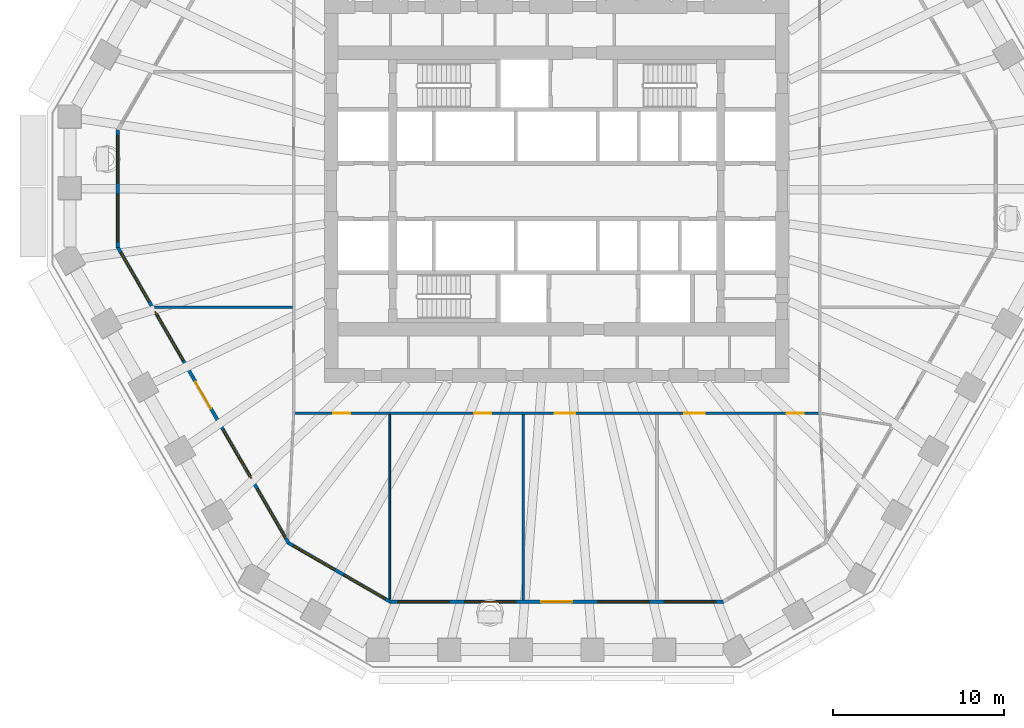
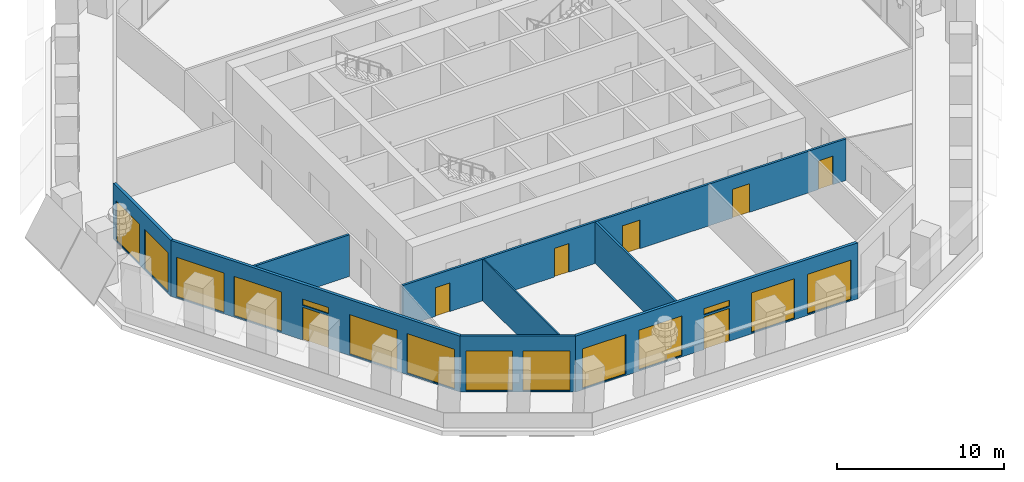
# One storey, part 3 of 12: 14 windows, 8 walls, 7 doors, 21 openings.
"""IFC4 building model written with IfcOpenShell, lengths in metres."""

from ifc_helpers import new_model, si_unit, direction, frame, frame_2d, origin, place, context, subcontext, project, spatial, polyline, rectangle, outline, extrude, material, layer, layer_set, type_object, element, fill, save


model = new_model("IFC4")

# Units and contexts
model_context = context("Model", 3, precision=1e-05, world=origin(), true_north=direction((0.0, 1.0)))
body_context = subcontext(model_context, "Body", "Model", "MODEL_VIEW")
ifc_project = project(units=[si_unit("LENGTHUNIT", "METRE"), si_unit("AREAUNIT", "SQUARE_METRE"), si_unit("VOLUMEUNIT", "CUBIC_METRE"), si_unit("PLANEANGLEUNIT", "RADIAN"), si_unit("MASSUNIT", "GRAM", prefix="KILO")], contexts=[model_context])

# Site, building, storey
site_placement = place(None, origin())
site = spatial("IfcSite", under=ifc_project, at=site_placement, CompositionType="ELEMENT")
building_placement = place(site_placement, origin())
building = spatial("IfcBuilding", under=site, at=building_placement, Name="Frailejon Research Tower", CompositionType="ELEMENT")
storey_placement = place(building_placement, frame((0.0, 0.0, 85.199951171875)))
storey = spatial("IfcBuildingStorey", under=building, at=storey_placement, Name="L18", CompositionType="ELEMENT", Elevation=85.199951171875)

# Wall, openings, doors
ifc_material_1 = material(Name="Gypsum board and masonry partition", Category="masonry")
ifc_layer_1 = layer(ifc_material_1, 0.14990234375)
ifc_layer_set_1 = layer_set([ifc_layer_1], Name="Corridor wall EI 60, gypsum on steel studs 150")
wall_type_1 = type_object("IfcWallType", Name="Corridor wall EI 60, gypsum on steel studs 150", PredefinedType="PARTITIONING", material=ifc_layer_set_1)
wall_1_placement = place(storey_placement, frame((-15.35009765625, -13.0, 0.0), z_axis=(0.0, 0.0, 1.0), x_axis=(1.0, 0.0, 0.0)))
wall_1 = element("IfcWall", 1, at=wall_1_placement, inside=storey, type_object=wall_type_1, Name="T:IW:L18:004", PredefinedType="PARTITIONING", context=body_context, shape_type="SweptSolid", body=[
    extrude(rectangle(XDim=30.7001953125, YDim=0.14990234375, at=frame_2d((15.35009765625, 0.0))), origin(), (0.0, 0.0, 1.0), 3.050048828125),
])
opening_1_placement = place(wall_1_placement, frame((2.26171875, 0.0, 0.0)))
opening_1 = element("IfcOpeningElement", 2, at=opening_1_placement, cuts=wall_1, Name="Opening D1506", PredefinedType="OPENING", context=body_context, shape_type="SweptSolid", body=[
    extrude(rectangle(XDim=1.0, YDim=2.10009765625, at=frame_2d((0.5, 1.050048828125))), frame((0.0, 0.0849609375, 0.0), z_axis=(0.0, -1.0, 0.0), x_axis=(1.0, 0.0, 0.0)), (0.0, 0.0, 1.0), 0.169921875),
])
opening_2_placement = place(wall_1_placement, frame((10.514404296875, 0.0, 0.0)))
opening_2 = element("IfcOpeningElement", 3, at=opening_2_placement, cuts=wall_1, Name="Opening D1507", PredefinedType="OPENING", context=body_context, shape_type="SweptSolid", body=[
    extrude(rectangle(XDim=1.0, YDim=2.10009765625, at=frame_2d((0.5, 1.050048828125))), frame((0.0, 0.0849609375, 0.0), z_axis=(0.0, -1.0, 0.0), x_axis=(1.0, 0.0, 0.0)), (0.0, 0.0, 1.0), 0.169921875),
])
opening_3_placement = place(wall_1_placement, frame((15.22509765625, 0.0, 0.0)))
opening_3 = element("IfcOpeningElement", 4, at=opening_3_placement, cuts=wall_1, Name="Opening D1508", PredefinedType="OPENING", context=body_context, shape_type="SweptSolid", body=[
    extrude(rectangle(XDim=1.199951171875, YDim=2.10009765625, at=frame_2d((0.60009765625, 1.050048828125))), frame((0.0, 0.0849609375, 0.0), z_axis=(0.0, -1.0, 0.0), x_axis=(1.0, 0.0, 0.0)), (0.0, 0.0, 1.0), 0.169921875),
])
opening_4_placement = place(wall_1_placement, frame((22.818603515625, 0.0, 0.0)))
opening_4 = element("IfcOpeningElement", 5, at=opening_4_placement, cuts=wall_1, Name="Opening D1509", PredefinedType="OPENING", context=body_context, shape_type="SweptSolid", body=[
    extrude(rectangle(XDim=1.199951171875, YDim=2.10009765625, at=frame_2d((0.60009765625, 1.050048828125))), frame((0.0, 0.0849609375, 0.0), z_axis=(0.0, -1.0, 0.0), x_axis=(1.0, 0.0, 0.0)), (0.0, 0.0, 1.0), 0.169921875),
])
opening_5_placement = place(wall_1_placement, frame((28.7998046875, 0.0, 0.0)))
opening_5 = element("IfcOpeningElement", 6, at=opening_5_placement, cuts=wall_1, Name="Opening D1510", PredefinedType="OPENING", context=body_context, shape_type="SweptSolid", body=[
    extrude(rectangle(XDim=1.0, YDim=2.10009765625, at=frame_2d((0.5, 1.050048828125))), frame((0.0, 0.0849609375, 0.0), z_axis=(0.0, -1.0, 0.0), x_axis=(1.0, 0.0, 0.0)), (0.0, 0.0, 1.0), 0.169921875),
])
ifc_material_2 = material(Name="Timber door leaf", Category="wood")
door_type_1 = type_object("IfcDoorType", Name="Door laboratory, timber, vision panel 1200", OperationType="NOTDEFINED", PredefinedType="DOOR", material=ifc_material_2)
door_1_placement = place(opening_3_placement, origin())
door_1 = element("IfcDoor", 7, at=door_1_placement, inside=storey, type_object=door_type_1, Name="D1508", OperationType="DOUBLE_DOOR_SINGLE_SWING", OverallHeight=2.10009765625, OverallWidth=1.199951171875, PredefinedType="DOOR", context=body_context, shape_type="SweptSolid", body=[
    extrude(rectangle(XDim=1.199951171875, YDim=2.10009765625, at=frame_2d((0.60009765625, 1.050048828125))), frame((0.0, 0.02490234375, 0.0), z_axis=(0.0, -1.0, 0.0), x_axis=(1.0, 0.0, 0.0)), (0.0, 0.0, 1.0), 0.050048828125),
])
fill(opening_3, door_1)
door_2_placement = place(opening_4_placement, origin())
door_2 = element("IfcDoor", 8, at=door_2_placement, inside=storey, type_object=door_type_1, Name="D1509", OperationType="DOUBLE_DOOR_SINGLE_SWING", OverallHeight=2.10009765625, OverallWidth=1.199951171875, PredefinedType="DOOR", context=body_context, shape_type="SweptSolid", body=[
    extrude(rectangle(XDim=1.199951171875, YDim=2.10009765625, at=frame_2d((0.60009765625, 1.050048828125))), frame((0.0, 0.02490234375, 0.0), z_axis=(0.0, -1.0, 0.0), x_axis=(1.0, 0.0, 0.0)), (0.0, 0.0, 1.0), 0.050048828125),
])
fill(opening_4, door_2)
ifc_material_3 = material(Name="Timber door leaf", Category="wood")
door_type_2 = type_object("IfcDoorType", Name="Door single leaf, timber, steel frame 1000", OperationType="NOTDEFINED", PredefinedType="DOOR", material=ifc_material_3)
door_3_placement = place(opening_1_placement, origin())
door_3 = element("IfcDoor", 9, at=door_3_placement, inside=storey, type_object=door_type_2, Name="D1506", OperationType="SINGLE_SWING_LEFT", OverallHeight=2.10009765625, OverallWidth=1.0, PredefinedType="DOOR", context=body_context, shape_type="SweptSolid", body=[
    extrude(rectangle(XDim=1.0, YDim=2.10009765625, at=frame_2d((0.5, 1.050048828125))), frame((0.0, 0.02490234375, 0.0), z_axis=(0.0, -1.0, 0.0), x_axis=(1.0, 0.0, 0.0)), (0.0, 0.0, 1.0), 0.050048828125),
])
fill(opening_1, door_3)
door_4_placement = place(opening_2_placement, origin())
door_4 = element("IfcDoor", 10, at=door_4_placement, inside=storey, type_object=door_type_2, Name="D1507", OperationType="SINGLE_SWING_LEFT", OverallHeight=2.10009765625, OverallWidth=1.0, PredefinedType="DOOR", context=body_context, shape_type="SweptSolid", body=[
    extrude(rectangle(XDim=1.0, YDim=2.10009765625, at=frame_2d((0.5, 1.050048828125))), frame((0.0, 0.02490234375, 0.0), z_axis=(0.0, -1.0, 0.0), x_axis=(1.0, 0.0, 0.0)), (0.0, 0.0, 1.0), 0.050048828125),
])
fill(opening_2, door_4)
door_5_placement = place(opening_5_placement, origin())
door_5 = element("IfcDoor", 11, at=door_5_placement, inside=storey, type_object=door_type_2, Name="D1510", OperationType="SINGLE_SWING_RIGHT", OverallHeight=2.10009765625, OverallWidth=1.0, PredefinedType="DOOR", context=body_context, shape_type="SweptSolid", body=[
    extrude(rectangle(XDim=1.0, YDim=2.10009765625, at=frame_2d((0.5, 1.050048828125))), frame((0.0, 0.02490234375, 0.0), z_axis=(0.0, -1.0, 0.0), x_axis=(1.0, 0.0, 0.0)), (0.0, 0.0, 1.0), 0.050048828125),
])
fill(opening_5, door_5)

# Walls
ifc_material_4 = material(Name="Gypsum board and masonry partition", Category="masonry")
ifc_layer_2 = layer(ifc_material_4, 0.14990234375)
ifc_layer_set_2 = layer_set([ifc_layer_2], Name="Laboratory partition, blockwork 150")
wall_type_2 = type_object("IfcWallType", Name="Laboratory partition, blockwork 150", PredefinedType="PARTITIONING", material=ifc_layer_set_2)
wall_2_placement = place(storey_placement, frame((-23.55859375, -6.79541015625, 0.0), z_axis=(0.0, 0.0, 1.0), x_axis=(1.0, 0.0, 0.0)))
element("IfcWall", 12, at=wall_2_placement, inside=storey, type_object=wall_type_2, Name="T:IW:L18:007", PredefinedType="PARTITIONING", context=body_context, shape_type="SweptSolid", body=[
    extrude(rectangle(XDim=8.08349609375, YDim=0.14990234375, at=frame_2d((4.041748046875, 0.0))), origin(), (0.0, 0.0, 1.0), 3.050048828125),
])
wall_3_placement = place(storey_placement, frame((-1.955322265625, -23.938232421875, 0.0), z_axis=(0.0, 0.0, 1.0), x_axis=(0.0, 1.0, 0.0)))
element("IfcWall", 13, at=wall_3_placement, inside=storey, type_object=wall_type_2, Name="T:IW:L18:011", PredefinedType="PARTITIONING", context=body_context, shape_type="SweptSolid", body=[
    extrude(rectangle(XDim=10.86328125, YDim=0.14990234375, at=frame_2d((5.431640625, 0.0))), origin(), (0.0, 0.0, 1.0), 3.050048828125),
])
ifc_material_5 = material(Name="Gypsum board and masonry partition", Category="masonry")
ifc_layer_3 = layer(ifc_material_5, 0.10009765625)
ifc_layer_set_3 = layer_set([ifc_layer_3], Name="Partition, gypsum on steel studs 100")
wall_type_3 = type_object("IfcWallType", Name="Partition, gypsum on steel studs 100", PredefinedType="PARTITIONING", material=ifc_layer_set_3)
wall_4_placement = place(storey_placement, frame((-9.776611328125, -23.9072265625, 0.0), z_axis=(0.0, 0.0, 1.0), x_axis=(0.0, 1.0, 0.0)))
element("IfcWall", 14, at=wall_4_placement, inside=storey, type_object=wall_type_3, Name="T:IW:L18:017", PredefinedType="PARTITIONING", context=body_context, shape_type="SweptSolid", body=[
    extrude(rectangle(XDim=10.832275390625, YDim=0.10009765625, at=frame_2d((5.416015625, 0.0))), origin(), (0.0, 0.0, 1.0), 3.050048828125),
])

# Wall, openings, windows
ifc_material_6 = material(Name="Concrete C40/50 precast window wall panel", Category="concrete")
ifc_layer_4 = layer(ifc_material_6, 0.199951171875)
ifc_layer_set_4 = layer_set([ifc_layer_4], Name="Window wall 200")
wall_type_4 = type_object("IfcWallType", Name="Window wall 200", PredefinedType="SOLIDWALL", material=ifc_layer_set_4)
wall_5_placement = place(storey_placement, frame((-25.692626953125, 3.57568359375, 0.0), z_axis=(0.0, 0.0, 1.0), x_axis=(0.0, -1.0, 0.0)))
wall_5 = element("IfcWall", 15, at=wall_5_placement, inside=storey, type_object=wall_type_4, Name="Exterior wall L18", PredefinedType="SOLIDWALL", context=body_context, shape_type="SweptSolid", body=[
    extrude(outline(polyline([(-0.02685546875, -0.10009765625), (1.1279296875, -0.10009765625), (2.28271484375, -0.10009765625), (3.4375, -0.10009765625), (4.592041015625, -0.10009765625), (5.746826171875, -0.10009765625), (6.901611328125, -0.10009765625), (6.847900390625, 0.10009765625), (5.7109375, 0.10009765625), (4.57421875, 0.10009765625), (3.4375, 0.10009765625), (2.300537109375, 0.10009765625), (1.16357421875, 0.10009765625), (0.02685546875, 0.10009765625), (-0.02685546875, -0.10009765625)])), origin(), (0.0, 0.0, 1.0), 4.10009765625),
])
opening_6_placement = place(wall_5_placement, frame((0.318603515625, 0.0, 0.10009765625)))
opening_6 = element("IfcOpeningElement", 16, at=opening_6_placement, cuts=wall_5, Name="Opening W3", PredefinedType="OPENING", context=body_context, shape_type="SweptSolid", body=[
    extrude(rectangle(XDim=2.800048828125, YDim=2.89990234375, at=frame_2d((1.39990234375, 1.449951171875))), frame((0.0, 0.10986328125, 0.0), z_axis=(0.0, -1.0, 0.0), x_axis=(1.0, 0.0, 0.0)), (0.0, 0.0, 1.0), 0.219970703125),
])
opening_7_placement = place(wall_5_placement, frame((3.756103515625, 0.0, 0.10009765625)))
opening_7 = element("IfcOpeningElement", 17, at=opening_7_placement, cuts=wall_5, Name="Opening W3", PredefinedType="OPENING", context=body_context, shape_type="SweptSolid", body=[
    extrude(rectangle(XDim=2.800048828125, YDim=2.89990234375, at=frame_2d((1.39990234375, 1.449951171875))), frame((0.0, 0.10986328125, 0.0), z_axis=(0.0, -1.0, 0.0), x_axis=(1.0, 0.0, 0.0)), (0.0, 0.0, 1.0), 0.219970703125),
])
ifc_material_7 = material(Name="Aluminium framed double glazing", Category="aluminium")
window_type_1 = type_object("IfcWindowType", Name="Window 2800x2900", PartitioningType="SINGLE_PANEL", PredefinedType="WINDOW", material=ifc_material_7)
window_1_placement = place(opening_6_placement, origin())
window_1 = element("IfcWindow", 18, at=window_1_placement, inside=storey, type_object=window_type_1, Name="Window L18", OverallHeight=2.89990234375, OverallWidth=2.800048828125, PartitioningType="SINGLE_PANEL", PredefinedType="WINDOW", context=body_context, shape_type="SweptSolid", body=[
    extrude(rectangle(XDim=2.800048828125, YDim=2.89990234375, at=frame_2d((1.39990234375, 1.449951171875))), frame((0.0, 0.030029296875, 0.0), z_axis=(0.0, -1.0, 0.0), x_axis=(1.0, 0.0, 0.0)), (0.0, 0.0, 1.0), 0.06005859375),
])
fill(opening_6, window_1)
window_2_placement = place(opening_7_placement, origin())
window_2 = element("IfcWindow", 19, at=window_2_placement, inside=storey, type_object=window_type_1, Name="Window L18", OverallHeight=2.89990234375, OverallWidth=2.800048828125, PartitioningType="SINGLE_PANEL", PredefinedType="WINDOW", context=body_context, shape_type="SweptSolid", body=[
    extrude(rectangle(XDim=2.800048828125, YDim=2.89990234375, at=frame_2d((1.39990234375, 1.449951171875))), frame((0.0, 0.030029296875, 0.0), z_axis=(0.0, -1.0, 0.0), x_axis=(1.0, 0.0, 0.0)), (0.0, 0.0, 1.0), 0.06005859375),
])
fill(opening_7, window_2)

# Wall, openings, door, windows
wall_6_placement = place(storey_placement, frame((-25.692626953125, -3.299072265625, 0.0), z_axis=(0.0, 0.0, 1.0), x_axis=(0.499997834957, -0.866026653769, 0.0)))
wall_6 = element("IfcWall", 20, at=wall_6_placement, inside=storey, type_object=wall_type_4, Name="Exterior wall L18", PredefinedType="SOLIDWALL", context=body_context, shape_type="SweptSolid", body=[
    extrude(outline(polyline([(-0.02685546875, -0.10009765625), (1.027587890625, -0.10009765625), (2.081787109375, -0.10009765625), (3.13623046875, -0.10009765625), (4.1904296875, -0.10009765625), (5.244873046875, -0.10009765625), (6.299072265625, -0.10009765625), (7.353515625, -0.10009765625), (8.40771484375, -0.10009765625), (9.462158203125, -0.10009765625), (10.516357421875, -0.10009765625), (11.57080078125, -0.10009765625), (12.625, -0.10009765625), (13.679443359375, -0.10009765625), (14.733642578125, -0.10009765625), (15.7880859375, -0.10009765625), (16.84228515625, -0.10009765625), (17.896728515625, -0.10009765625), (18.950927734375, -0.10009765625), (20.00537109375, -0.10009765625), (19.95166015625, 0.10009765625), (18.903076171875, 0.10009765625), (17.854248046875, 0.10009765625), (16.8056640625, 0.10009765625), (15.757080078125, 0.10009765625), (14.708251953125, 0.10009765625), (13.65966796875, 0.10009765625), (12.61083984375, 0.10009765625), (11.562255859375, 0.10009765625), (10.513671875, 0.10009765625), (9.46484375, 0.10009765625), (8.416259765625, 0.10009765625), (7.36767578125, 0.10009765625), (6.31884765625, 0.10009765625), (5.270263671875, 0.10009765625), (4.221435546875, 0.10009765625), (3.1728515625, 0.10009765625), (2.124267578125, 0.10009765625), (1.075439453125, 0.10009765625), (0.02685546875, 0.10009765625), (-0.02685546875, -0.10009765625)])), origin(), (0.0, 0.0, 1.0), 4.10009765625),
])
opening_8_placement = place(wall_6_placement, frame((0.347900390625, 0.0, 0.10009765625)))
opening_8 = element("IfcOpeningElement", 21, at=opening_8_placement, cuts=wall_6, Name="Opening W5", PredefinedType="OPENING", context=body_context, shape_type="SweptSolid", body=[
    extrude(rectangle(XDim=3.300048828125, YDim=2.89990234375, at=frame_2d((1.64990234375, 1.449951171875))), frame((0.0, 0.10986328125, 0.0), z_axis=(0.0, -1.0, 0.0), x_axis=(1.0, 0.0, 0.0)), (0.0, 0.0, 1.0), 0.219970703125),
])
opening_9_placement = place(wall_6_placement, frame((4.343505859375, 0.0, 0.10009765625)))
opening_9 = element("IfcOpeningElement", 22, at=opening_9_placement, cuts=wall_6, Name="Opening W5", PredefinedType="OPENING", context=body_context, shape_type="SweptSolid", body=[
    extrude(rectangle(XDim=3.300048828125, YDim=2.89990234375, at=frame_2d((1.64990234375, 1.449951171875))), frame((0.0, 0.10986328125, 0.0), z_axis=(0.0, -1.0, 0.0), x_axis=(1.0, 0.0, 0.0)), (0.0, 0.0, 1.0), 0.219970703125),
])
opening_10_placement = place(wall_6_placement, frame((9.08935546875, 0.0, 0.0)))
opening_10 = element("IfcOpeningElement", 23, at=opening_10_placement, cuts=wall_6, Name="Opening LG18-4", PredefinedType="OPENING", context=body_context, shape_type="SweptSolid", body=[
    extrude(rectangle(XDim=1.800048828125, YDim=2.39990234375, at=frame_2d((0.89990234375, 1.199951171875))), frame((0.0, 0.10986328125, 0.0), z_axis=(0.0, -1.0, 0.0), x_axis=(1.0, 0.0, 0.0)), (0.0, 0.0, 1.0), 0.219970703125),
])
opening_11_placement = place(wall_6_placement, frame((9.08935546875, 0.0, 2.550048828125)))
opening_11 = element("IfcOpeningElement", 24, at=opening_11_placement, cuts=wall_6, Name="Opening W1", PredefinedType="OPENING", context=body_context, shape_type="SweptSolid", body=[
    extrude(rectangle(XDim=1.800048828125, YDim=0.449951171875, at=frame_2d((0.89990234375, 0.22509765625))), frame((0.0, 0.10986328125, 0.0), z_axis=(0.0, -1.0, 0.0), x_axis=(1.0, 0.0, 0.0)), (0.0, 0.0, 1.0), 0.219970703125),
])
opening_12_placement = place(wall_6_placement, frame((12.3349609375, 0.0, 0.10009765625)))
opening_12 = element("IfcOpeningElement", 25, at=opening_12_placement, cuts=wall_6, Name="Opening W5", PredefinedType="OPENING", context=body_context, shape_type="SweptSolid", body=[
    extrude(rectangle(XDim=3.300048828125, YDim=2.89990234375, at=frame_2d((1.64990234375, 1.449951171875))), frame((0.0, 0.10986328125, 0.0), z_axis=(0.0, -1.0, 0.0), x_axis=(1.0, 0.0, 0.0)), (0.0, 0.0, 1.0), 0.219970703125),
])
opening_13_placement = place(wall_6_placement, frame((16.330810546875, 0.0, 0.10009765625)))
opening_13 = element("IfcOpeningElement", 26, at=opening_13_placement, cuts=wall_6, Name="Opening W5", PredefinedType="OPENING", context=body_context, shape_type="SweptSolid", body=[
    extrude(rectangle(XDim=3.300048828125, YDim=2.89990234375, at=frame_2d((1.64990234375, 1.449951171875))), frame((0.0, 0.10986328125, 0.0), z_axis=(0.0, -1.0, 0.0), x_axis=(1.0, 0.0, 0.0)), (0.0, 0.0, 1.0), 0.219970703125),
])
ifc_material_8 = material(Name="Aluminium framed glazed door leaf", Category="aluminium")
door_type_3 = type_object("IfcDoorType", Name="Loggia door 1800x2400", OperationType="DOUBLE_DOOR_SINGLE_SWING", PredefinedType="DOOR", material=ifc_material_8)
door_6_placement = place(opening_10_placement, origin())
door_6 = element("IfcDoor", 27, at=door_6_placement, inside=storey, type_object=door_type_3, Name="Door LG18-4", OperationType="DOUBLE_DOOR_SINGLE_SWING", OverallHeight=2.39990234375, OverallWidth=1.800048828125, PredefinedType="DOOR", context=body_context, shape_type="SweptSolid", body=[
    extrude(rectangle(XDim=1.800048828125, YDim=2.39990234375, at=frame_2d((0.89990234375, 1.199951171875))), frame((0.0, 0.02490234375, 0.0), z_axis=(0.0, -1.0, 0.0), x_axis=(1.0, 0.0, 0.0)), (0.0, 0.0, 1.0), 0.050048828125),
])
fill(opening_10, door_6)
ifc_material_9 = material(Name="Aluminium framed double glazing", Category="aluminium")
window_type_2 = type_object("IfcWindowType", Name="Window 1800x450", PartitioningType="SINGLE_PANEL", PredefinedType="WINDOW", material=ifc_material_9)
window_3_placement = place(opening_11_placement, origin())
window_3 = element("IfcWindow", 28, at=window_3_placement, inside=storey, type_object=window_type_2, Name="Window L18", OverallHeight=0.449951171875, OverallWidth=1.800048828125, PartitioningType="SINGLE_PANEL", PredefinedType="WINDOW", context=body_context, shape_type="SweptSolid", body=[
    extrude(rectangle(XDim=1.800048828125, YDim=0.449951171875, at=frame_2d((0.89990234375, 0.22509765625))), frame((0.0, 0.030029296875, 0.0), z_axis=(0.0, -1.0, 0.0), x_axis=(1.0, 0.0, 0.0)), (0.0, 0.0, 1.0), 0.06005859375),
])
fill(opening_11, window_3)
ifc_material_10 = material(Name="Aluminium framed double glazing", Category="aluminium")
window_type_3 = type_object("IfcWindowType", Name="Window 3300x2900", PartitioningType="SINGLE_PANEL", PredefinedType="WINDOW", material=ifc_material_10)
window_4_placement = place(opening_8_placement, origin())
window_4 = element("IfcWindow", 29, at=window_4_placement, inside=storey, type_object=window_type_3, Name="Window L18", OverallHeight=2.89990234375, OverallWidth=3.300048828125, PartitioningType="SINGLE_PANEL", PredefinedType="WINDOW", context=body_context, shape_type="SweptSolid", body=[
    extrude(rectangle(XDim=3.300048828125, YDim=2.89990234375, at=frame_2d((1.64990234375, 1.449951171875))), frame((0.0, 0.030029296875, 0.0), z_axis=(0.0, -1.0, 0.0), x_axis=(1.0, 0.0, 0.0)), (0.0, 0.0, 1.0), 0.06005859375),
])
fill(opening_8, window_4)
window_5_placement = place(opening_9_placement, origin())
window_5 = element("IfcWindow", 30, at=window_5_placement, inside=storey, type_object=window_type_3, Name="Window L18", OverallHeight=2.89990234375, OverallWidth=3.300048828125, PartitioningType="SINGLE_PANEL", PredefinedType="WINDOW", context=body_context, shape_type="SweptSolid", body=[
    extrude(rectangle(XDim=3.300048828125, YDim=2.89990234375, at=frame_2d((1.64990234375, 1.449951171875))), frame((0.0, 0.030029296875, 0.0), z_axis=(0.0, -1.0, 0.0), x_axis=(1.0, 0.0, 0.0)), (0.0, 0.0, 1.0), 0.06005859375),
])
fill(opening_9, window_5)
window_6_placement = place(opening_12_placement, origin())
window_6 = element("IfcWindow", 31, at=window_6_placement, inside=storey, type_object=window_type_3, Name="Window L18", OverallHeight=2.89990234375, OverallWidth=3.300048828125, PartitioningType="SINGLE_PANEL", PredefinedType="WINDOW", context=body_context, shape_type="SweptSolid", body=[
    extrude(rectangle(XDim=3.300048828125, YDim=2.89990234375, at=frame_2d((1.64990234375, 1.449951171875))), frame((0.0, 0.030029296875, 0.0), z_axis=(0.0, -1.0, 0.0), x_axis=(1.0, 0.0, 0.0)), (0.0, 0.0, 1.0), 0.06005859375),
])
fill(opening_12, window_6)
window_7_placement = place(opening_13_placement, origin())
window_7 = element("IfcWindow", 32, at=window_7_placement, inside=storey, type_object=window_type_3, Name="Window L18", OverallHeight=2.89990234375, OverallWidth=3.300048828125, PartitioningType="SINGLE_PANEL", PredefinedType="WINDOW", context=body_context, shape_type="SweptSolid", body=[
    extrude(rectangle(XDim=3.300048828125, YDim=2.89990234375, at=frame_2d((1.64990234375, 1.449951171875))), frame((0.0, 0.030029296875, 0.0), z_axis=(0.0, -1.0, 0.0), x_axis=(1.0, 0.0, 0.0)), (0.0, 0.0, 1.0), 0.06005859375),
])
fill(opening_13, window_7)

# Wall, openings, windows
wall_7_placement = place(storey_placement, frame((-15.703369140625, -20.60107421875, 0.0), z_axis=(0.0, 0.0, 1.0), x_axis=(0.866029458321, -0.49999297727, 0.0)))
wall_7 = element("IfcWall", 33, at=wall_7_placement, inside=storey, type_object=wall_type_4, Name="Exterior wall L18", PredefinedType="SOLIDWALL", context=body_context, shape_type="SweptSolid", body=[
    extrude(outline(polyline([(-0.02685546875, -0.10009765625), (1.1279296875, -0.10009765625), (2.282470703125, -0.10009765625), (3.437255859375, -0.10009765625), (4.592041015625, -0.10009765625), (5.74658203125, -0.10009765625), (6.9013671875, -0.10009765625), (6.84765625, 0.10009765625), (5.7109375, 0.10009765625), (4.573974609375, 0.10009765625), (3.437255859375, 0.10009765625), (2.300537109375, 0.10009765625), (1.16357421875, 0.10009765625), (0.02685546875, 0.10009765625), (-0.02685546875, -0.10009765625)])), origin(), (0.0, 0.0, 1.0), 4.10009765625),
])
opening_14_placement = place(wall_7_placement, frame((0.318603515625, 0.0, 0.10009765625)))
opening_14 = element("IfcOpeningElement", 34, at=opening_14_placement, cuts=wall_7, Name="Opening W3", PredefinedType="OPENING", context=body_context, shape_type="SweptSolid", body=[
    extrude(rectangle(XDim=2.800048828125, YDim=2.89990234375, at=frame_2d((1.39990234375, 1.449951171875))), frame((0.0, 0.10986328125, 0.0), z_axis=(0.0, -1.0, 0.0), x_axis=(1.0, 0.0, 0.0)), (0.0, 0.0, 1.0), 0.219970703125),
])
opening_15_placement = place(wall_7_placement, frame((3.756103515625, 0.0, 0.10009765625)))
opening_15 = element("IfcOpeningElement", 35, at=opening_15_placement, cuts=wall_7, Name="Opening W3", PredefinedType="OPENING", context=body_context, shape_type="SweptSolid", body=[
    extrude(rectangle(XDim=2.800048828125, YDim=2.89990234375, at=frame_2d((1.39990234375, 1.449951171875))), frame((0.0, 0.10986328125, 0.0), z_axis=(0.0, -1.0, 0.0), x_axis=(1.0, 0.0, 0.0)), (0.0, 0.0, 1.0), 0.219970703125),
])
window_8_placement = place(opening_14_placement, origin())
window_8 = element("IfcWindow", 36, at=window_8_placement, inside=storey, type_object=window_type_1, Name="Window L18", OverallHeight=2.89990234375, OverallWidth=2.800048828125, PartitioningType="SINGLE_PANEL", PredefinedType="WINDOW", context=body_context, shape_type="SweptSolid", body=[
    extrude(rectangle(XDim=2.800048828125, YDim=2.89990234375, at=frame_2d((1.39990234375, 1.449951171875))), frame((0.0, 0.030029296875, 0.0), z_axis=(0.0, -1.0, 0.0), x_axis=(1.0, 0.0, 0.0)), (0.0, 0.0, 1.0), 0.06005859375),
])
fill(opening_14, window_8)
window_9_placement = place(opening_15_placement, origin())
window_9 = element("IfcWindow", 37, at=window_9_placement, inside=storey, type_object=window_type_1, Name="Window L18", OverallHeight=2.89990234375, OverallWidth=2.800048828125, PartitioningType="SINGLE_PANEL", PredefinedType="WINDOW", context=body_context, shape_type="SweptSolid", body=[
    extrude(rectangle(XDim=2.800048828125, YDim=2.89990234375, at=frame_2d((1.39990234375, 1.449951171875))), frame((0.0, 0.030029296875, 0.0), z_axis=(0.0, -1.0, 0.0), x_axis=(1.0, 0.0, 0.0)), (0.0, 0.0, 1.0), 0.06005859375),
])
fill(opening_15, window_9)

# Wall, openings, door, windows
wall_8_placement = place(storey_placement, frame((-9.749755859375, -24.038330078125, 0.0), z_axis=(0.0, 0.0, 1.0), x_axis=(1.0, 0.0, 0.0)))
wall_8 = element("IfcWall", 38, at=wall_8_placement, inside=storey, type_object=wall_type_4, Name="Exterior wall L18", PredefinedType="SOLIDWALL", context=body_context, shape_type="SweptSolid", body=[
    extrude(outline(polyline([(-0.02685546875, -0.10009765625), (1.002197265625, -0.10009765625), (2.031494140625, -0.10009765625), (3.060546875, -0.10009765625), (4.089599609375, -0.10009765625), (5.11865234375, -0.10009765625), (6.14794921875, -0.10009765625), (7.177001953125, -0.10009765625), (8.2060546875, -0.10009765625), (9.235107421875, -0.10009765625), (10.264404296875, -0.10009765625), (11.29345703125, -0.10009765625), (12.322509765625, -0.10009765625), (13.3515625, -0.10009765625), (14.380859375, -0.10009765625), (15.409912109375, -0.10009765625), (16.43896484375, -0.10009765625), (17.468017578125, -0.10009765625), (18.497314453125, -0.10009765625), (19.5263671875, -0.10009765625), (19.47265625, 0.10009765625), (18.44921875, 0.10009765625), (17.42578125, 0.10009765625), (16.40234375, 0.10009765625), (15.37890625, 0.10009765625), (14.355224609375, 0.10009765625), (13.331787109375, 0.10009765625), (12.308349609375, 0.10009765625), (11.284912109375, 0.10009765625), (10.261474609375, 0.10009765625), (9.238037109375, 0.10009765625), (8.214599609375, 0.10009765625), (7.191162109375, 0.10009765625), (6.167724609375, 0.10009765625), (5.144287109375, 0.10009765625), (4.12060546875, 0.10009765625), (3.09716796875, 0.10009765625), (2.07373046875, 0.10009765625), (1.05029296875, 0.10009765625), (0.02685546875, 0.10009765625), (-0.02685546875, -0.10009765625)])), origin(), (0.0, 0.0, 1.0), 4.10009765625),
])
opening_16_placement = place(wall_8_placement, frame((0.449951171875, 0.0, 0.10009765625)))
opening_16 = element("IfcOpeningElement", 39, at=opening_16_placement, cuts=wall_8, Name="Opening W4", PredefinedType="OPENING", context=body_context, shape_type="SweptSolid", body=[
    extrude(rectangle(XDim=3.0, YDim=2.89990234375, at=frame_2d((1.5, 1.449951171875))), frame((0.0, 0.10986328125, 0.0), z_axis=(0.0, -1.0, 0.0), x_axis=(1.0, 0.0, 0.0)), (0.0, 0.0, 1.0), 0.219970703125),
])
opening_17_placement = place(wall_8_placement, frame((4.349853515625, 0.0, 0.10009765625)))
opening_17 = element("IfcOpeningElement", 40, at=opening_17_placement, cuts=wall_8, Name="Opening W4", PredefinedType="OPENING", context=body_context, shape_type="SweptSolid", body=[
    extrude(rectangle(XDim=3.0, YDim=2.89990234375, at=frame_2d((1.5, 1.449951171875))), frame((0.0, 0.10986328125, 0.0), z_axis=(0.0, -1.0, 0.0), x_axis=(1.0, 0.0, 0.0)), (0.0, 0.0, 1.0), 0.219970703125),
])
opening_18_placement = place(wall_8_placement, frame((8.849853515625, 0.0, 0.0)))
opening_18 = element("IfcOpeningElement", 41, at=opening_18_placement, cuts=wall_8, Name="Opening LG18-5", PredefinedType="OPENING", context=body_context, shape_type="SweptSolid", body=[
    extrude(rectangle(XDim=1.800048828125, YDim=2.39990234375, at=frame_2d((0.89990234375, 1.199951171875))), frame((0.0, 0.10986328125, 0.0), z_axis=(0.0, -1.0, 0.0), x_axis=(1.0, 0.0, 0.0)), (0.0, 0.0, 1.0), 0.219970703125),
])
opening_19_placement = place(wall_8_placement, frame((8.849853515625, 0.0, 2.550048828125)))
opening_19 = element("IfcOpeningElement", 42, at=opening_19_placement, cuts=wall_8, Name="Opening W1", PredefinedType="OPENING", context=body_context, shape_type="SweptSolid", body=[
    extrude(rectangle(XDim=1.800048828125, YDim=0.449951171875, at=frame_2d((0.89990234375, 0.22509765625))), frame((0.0, 0.10986328125, 0.0), z_axis=(0.0, -1.0, 0.0), x_axis=(1.0, 0.0, 0.0)), (0.0, 0.0, 1.0), 0.219970703125),
])
opening_20_placement = place(wall_8_placement, frame((12.149658203125, 0.0, 0.10009765625)))
opening_20 = element("IfcOpeningElement", 43, at=opening_20_placement, cuts=wall_8, Name="Opening W4", PredefinedType="OPENING", context=body_context, shape_type="SweptSolid", body=[
    extrude(rectangle(XDim=3.0, YDim=2.89990234375, at=frame_2d((1.5, 1.449951171875))), frame((0.0, 0.10986328125, 0.0), z_axis=(0.0, -1.0, 0.0), x_axis=(1.0, 0.0, 0.0)), (0.0, 0.0, 1.0), 0.219970703125),
])
opening_21_placement = place(wall_8_placement, frame((16.049560546875, 0.0, 0.10009765625)))
opening_21 = element("IfcOpeningElement", 44, at=opening_21_placement, cuts=wall_8, Name="Opening W4", PredefinedType="OPENING", context=body_context, shape_type="SweptSolid", body=[
    extrude(rectangle(XDim=3.0, YDim=2.89990234375, at=frame_2d((1.5, 1.449951171875))), frame((0.0, 0.10986328125, 0.0), z_axis=(0.0, -1.0, 0.0), x_axis=(1.0, 0.0, 0.0)), (0.0, 0.0, 1.0), 0.219970703125),
])
door_7_placement = place(opening_18_placement, origin())
door_7 = element("IfcDoor", 45, at=door_7_placement, inside=storey, type_object=door_type_3, Name="Door LG18-5", OperationType="DOUBLE_DOOR_SINGLE_SWING", OverallHeight=2.39990234375, OverallWidth=1.800048828125, PredefinedType="DOOR", context=body_context, shape_type="SweptSolid", body=[
    extrude(rectangle(XDim=1.800048828125, YDim=2.39990234375, at=frame_2d((0.89990234375, 1.199951171875))), frame((0.0, 0.02490234375, 0.0), z_axis=(0.0, -1.0, 0.0), x_axis=(1.0, 0.0, 0.0)), (0.0, 0.0, 1.0), 0.050048828125),
])
fill(opening_18, door_7)
window_10_placement = place(opening_19_placement, origin())
window_10 = element("IfcWindow", 46, at=window_10_placement, inside=storey, type_object=window_type_2, Name="Window L18", OverallHeight=0.449951171875, OverallWidth=1.800048828125, PartitioningType="SINGLE_PANEL", PredefinedType="WINDOW", context=body_context, shape_type="SweptSolid", body=[
    extrude(rectangle(XDim=1.800048828125, YDim=0.449951171875, at=frame_2d((0.89990234375, 0.22509765625))), frame((0.0, 0.030029296875, 0.0), z_axis=(0.0, -1.0, 0.0), x_axis=(1.0, 0.0, 0.0)), (0.0, 0.0, 1.0), 0.06005859375),
])
fill(opening_19, window_10)
ifc_material_11 = material(Name="Aluminium framed double glazing", Category="aluminium")
window_type_4 = type_object("IfcWindowType", Name="Window 3000x2900", PartitioningType="SINGLE_PANEL", PredefinedType="WINDOW", material=ifc_material_11)
window_11_placement = place(opening_16_placement, origin())
window_11 = element("IfcWindow", 47, at=window_11_placement, inside=storey, type_object=window_type_4, Name="Window L18", OverallHeight=2.89990234375, OverallWidth=3.0, PartitioningType="SINGLE_PANEL", PredefinedType="WINDOW", context=body_context, shape_type="SweptSolid", body=[
    extrude(rectangle(XDim=3.0, YDim=2.89990234375, at=frame_2d((1.5, 1.449951171875))), frame((0.0, 0.030029296875, 0.0), z_axis=(0.0, -1.0, 0.0), x_axis=(1.0, 0.0, 0.0)), (0.0, 0.0, 1.0), 0.06005859375),
])
fill(opening_16, window_11)
window_12_placement = place(opening_17_placement, origin())
window_12 = element("IfcWindow", 48, at=window_12_placement, inside=storey, type_object=window_type_4, Name="Window L18", OverallHeight=2.89990234375, OverallWidth=3.0, PartitioningType="SINGLE_PANEL", PredefinedType="WINDOW", context=body_context, shape_type="SweptSolid", body=[
    extrude(rectangle(XDim=3.0, YDim=2.89990234375, at=frame_2d((1.5, 1.449951171875))), frame((0.0, 0.030029296875, 0.0), z_axis=(0.0, -1.0, 0.0), x_axis=(1.0, 0.0, 0.0)), (0.0, 0.0, 1.0), 0.06005859375),
])
fill(opening_17, window_12)
window_13_placement = place(opening_20_placement, origin())
window_13 = element("IfcWindow", 49, at=window_13_placement, inside=storey, type_object=window_type_4, Name="Window L18", OverallHeight=2.89990234375, OverallWidth=3.0, PartitioningType="SINGLE_PANEL", PredefinedType="WINDOW", context=body_context, shape_type="SweptSolid", body=[
    extrude(rectangle(XDim=3.0, YDim=2.89990234375, at=frame_2d((1.5, 1.449951171875))), frame((0.0, 0.030029296875, 0.0), z_axis=(0.0, -1.0, 0.0), x_axis=(1.0, 0.0, 0.0)), (0.0, 0.0, 1.0), 0.06005859375),
])
fill(opening_20, window_13)
window_14_placement = place(opening_21_placement, origin())
window_14 = element("IfcWindow", 50, at=window_14_placement, inside=storey, type_object=window_type_4, Name="Window L18", OverallHeight=2.89990234375, OverallWidth=3.0, PartitioningType="SINGLE_PANEL", PredefinedType="WINDOW", context=body_context, shape_type="SweptSolid", body=[
    extrude(rectangle(XDim=3.0, YDim=2.89990234375, at=frame_2d((1.5, 1.449951171875))), frame((0.0, 0.030029296875, 0.0), z_axis=(0.0, -1.0, 0.0), x_axis=(1.0, 0.0, 0.0)), (0.0, 0.0, 1.0), 0.06005859375),
])
fill(opening_21, window_14)

save(model, "model.ifc")
